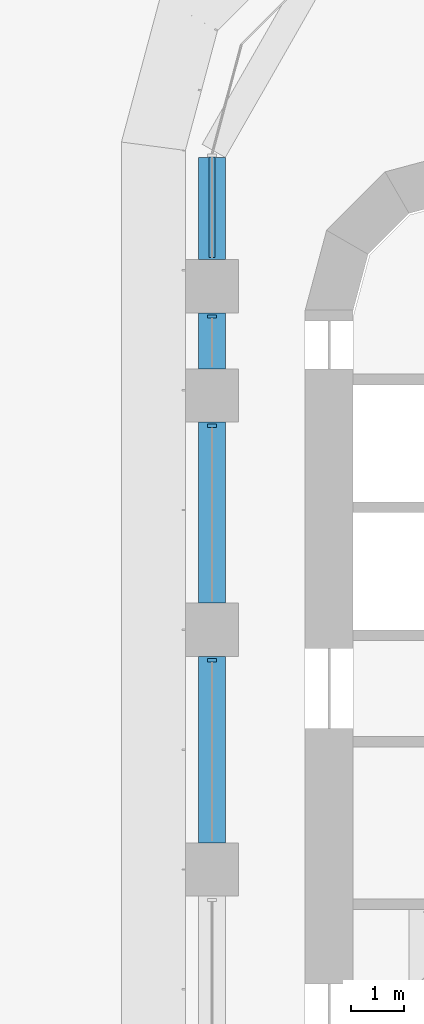
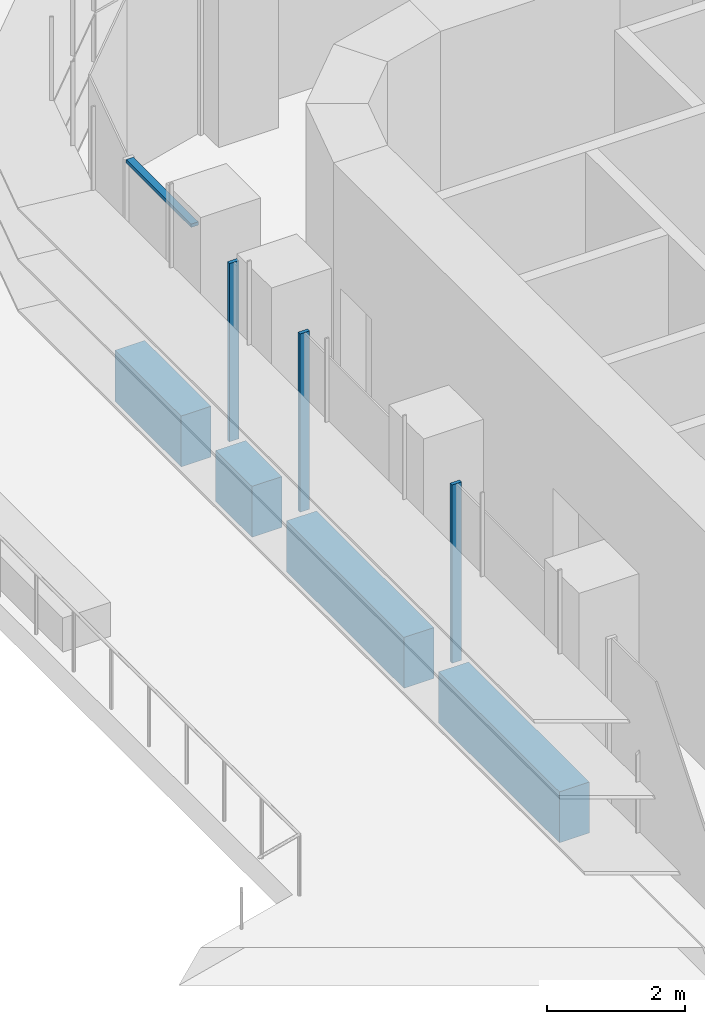
# One storey, part 7 of 26: 4 beams, 4 members, 1 element without a shape of its own.
"""IFC4 building model written with IfcOpenShell, lengths in metres."""

from ifc_helpers import new_model, si_unit, direction, frame, origin, origin_2d, place, context, subcontext, project, spatial, polyline, rectangle, outline, extrude, source, transform, mapped, material, material_profile, profile_set, type_object, element, aggregate, save


model = new_model("IFC4")

# Units and contexts
model_context = context("Model", 3, precision=1e-05, world=origin(), true_north=direction((0.0, 1.0)))
body_context = subcontext(model_context, "Body", "Model", "MODEL_VIEW")
ifc_project = project(units=[si_unit("LENGTHUNIT", "METRE"), si_unit("AREAUNIT", "SQUARE_METRE"), si_unit("VOLUMEUNIT", "CUBIC_METRE"), si_unit("PLANEANGLEUNIT", "RADIAN"), si_unit("MASSUNIT", "GRAM", prefix="KILO")], contexts=[model_context])

# Site, building, storey
site_placement = place(None, origin())
site = spatial("IfcSite", under=ifc_project, at=site_placement, CompositionType="ELEMENT")
building_placement = place(site_placement, origin())
building = spatial("IfcBuilding", under=site, at=building_placement, Name="Zarbagh Exchange Tower", CompositionType="ELEMENT")
storey_placement = place(building_placement, frame((0.0, 0.0, 27.0)))
storey = spatial("IfcBuildingStorey", under=building, at=storey_placement, Name="L05", CompositionType="ELEMENT", Elevation=27.0)

# Beams
ifc_material_1 = material(Name="Concrete C60/75", Category="concrete")
ifc_material_profile = material_profile(ifc_material_1, rectangle(XDim=0.5, YDim=0.89990234375, at=origin_2d()), Name="RC spandrel beam 500 x 900 C60/75")
ifc_profile_set = profile_set([ifc_material_profile], Name="Concrete C60/75")
beam_type = type_object("IfcBeamType", Name="RC spandrel beam 500 x 900 C60/75", PredefinedType="SPANDREL", material=ifc_profile_set)
beam_1_placement = place(storey_placement, frame((-6.25, 16.25, -0.60009765625), z_axis=(0.0, 1.0, 0.0), x_axis=(-1.0, 0.0, 0.0)))
element("IfcBeam", 1, at=beam_1_placement, inside=storey, type_object=beam_type, Name="RC spandrel beam", PredefinedType="SPANDREL", context=body_context, shape_type="SweptSolid", body=[
    extrude(rectangle(XDim=0.5, YDim=0.89990234375, at=origin_2d()), origin(), (0.0, 0.0, 1.0), 3.5),
])
beam_2_placement = place(storey_placement, frame((-6.25, 20.75, -0.60009765625), z_axis=(0.0, 1.0, 0.0), x_axis=(-1.0, 0.0, 0.0)))
element("IfcBeam", 2, at=beam_2_placement, inside=storey, type_object=beam_type, Name="RC spandrel beam", PredefinedType="SPANDREL", context=body_context, shape_type="SweptSolid", body=[
    extrude(rectangle(XDim=0.5, YDim=0.89990234375, at=origin_2d()), origin(), (0.0, 0.0, 1.0), 3.39990234375),
])
beam_3_placement = place(storey_placement, frame((-6.25, 25.14990234375, -0.60009765625), z_axis=(0.0, 1.0, 0.0), x_axis=(-1.0, 0.0, 0.0)))
element("IfcBeam", 3, at=beam_3_placement, inside=storey, type_object=beam_type, Name="RC spandrel beam", PredefinedType="SPANDREL", context=body_context, shape_type="SweptSolid", body=[
    extrude(rectangle(XDim=0.5, YDim=0.89990234375, at=origin_2d()), origin(), (0.0, 0.0, 1.0), 1.050048828125),
])
beam_4_placement = place(storey_placement, frame((-6.25, 27.199951171875, -0.60009765625), z_axis=(0.0, 1.0, 0.0), x_axis=(-1.0, 0.0, 0.0)))
element("IfcBeam", 4, at=beam_4_placement, inside=storey, type_object=beam_type, Name="RC spandrel beam", PredefinedType="SPANDREL", context=body_context, shape_type="SweptSolid", body=[
    extrude(rectangle(XDim=0.5, YDim=0.89990234375, at=origin_2d()), origin(), (0.0, 0.0, 1.0), 1.91796875),
])

# Curtain wall, members
ifc_material_2 = material(Name="Anodised aluminium frame and glazing", Category="aluminium")
curtain_wall_type = type_object("IfcCurtainWallType", Name="CWA Ribbon glazing, lower zones", PredefinedType="NOTDEFINED", material=ifc_material_2)
curtain_wall_placement = place(storey_placement, origin())
curtain_wall = element("IfcCurtainWall", 5, at=curtain_wall_placement, inside=storey, type_object=curtain_wall_type, Name="CWA28 curtain wall", PredefinedType="NOTDEFINED")
ifc_material_3 = material(Name="Anodised aluminium frame", Category="aluminium")
member_type_1 = type_object("IfcMemberType", Name="MUA Mullion, anodised aluminium frame", PredefinedType="MULLION", material=ifc_material_3)
shared_shape_1 = source(origin(), body_context, "Body", "SweptSolid", [
    extrude(outline(polyline([(0.0, -0.080078125), (0.06005859375, -0.080078125), (0.06005859375, 0.080078125), (0.0, 0.080078125), (0.0, -0.080078125)])), origin(), (0.0, 0.0, 1.0), 3.14990234375),
])
placement = place(storey_placement, origin())
member_1 = element("IfcMember", 6, at=placement, type_object=member_type_1, Name="CWA28 mullion 2.1", PredefinedType="MULLION", context=body_context, shape_type="MappedRepresentation", body=[
    mapped(shared_shape_1, transform((-6.25, 26.159912109375, 0.0), x_axis=(0.0, -1.0, 0.0), y_axis=(1.0, 0.0, 0.0), z_axis=(0.0, 0.0, 1.0))),
])
member_2 = element("IfcMember", 7, at=placement, type_object=member_type_1, Name="CWA28 mullion 3.1", PredefinedType="MULLION", context=body_context, shape_type="MappedRepresentation", body=[
    mapped(shared_shape_1, transform((-6.25, 24.10986328125, 0.0), x_axis=(0.0, -1.0, 0.0), y_axis=(1.0, 0.0, 0.0), z_axis=(0.0, 0.0, 1.0))),
])
member_3 = element("IfcMember", 8, at=placement, type_object=member_type_1, Name="CWA28 mullion 4.1", PredefinedType="MULLION", context=body_context, shape_type="MappedRepresentation", body=[
    mapped(shared_shape_1, transform((-6.25, 19.7099609375, 0.0), x_axis=(0.0, -1.0, 0.0), y_axis=(1.0, 0.0, 0.0), z_axis=(0.0, 0.0, 1.0))),
])
member_type_2 = type_object("IfcMemberType", Name="TRA Transom, anodised aluminium frame", PredefinedType="USERDEFINED", material=ifc_material_3)
shared_shape_2 = source(origin(), body_context, "Body", "SweptSolid", [
    extrude(outline(polyline([(-0.06005859375, -0.06005859375), (0.0, -0.06005859375), (0.0, 0.06005859375), (-0.06005859375, 0.06005859375), (-0.06005859375, -0.06005859375)])), origin(), (0.0, 0.0, 1.0), 1.88427734375),
])
member_4 = element("IfcMember", 9, at=placement, type_object=member_type_2, Name="CWA28 transom 1.1", ObjectType="TRANSOM", PredefinedType="USERDEFINED", context=body_context, shape_type="MappedRepresentation", body=[
    mapped(shared_shape_2, transform((-6.25, 29.124267578125, 3.14990234375), x_axis=(0.0, 0.0, 1.0), y_axis=(-1.0, 0.0, 0.0), z_axis=(0.0, -1.0, 0.0))),
])
aggregate(curtain_wall, [member_4, member_1, member_2, member_3])

save(model, "model.ifc")
